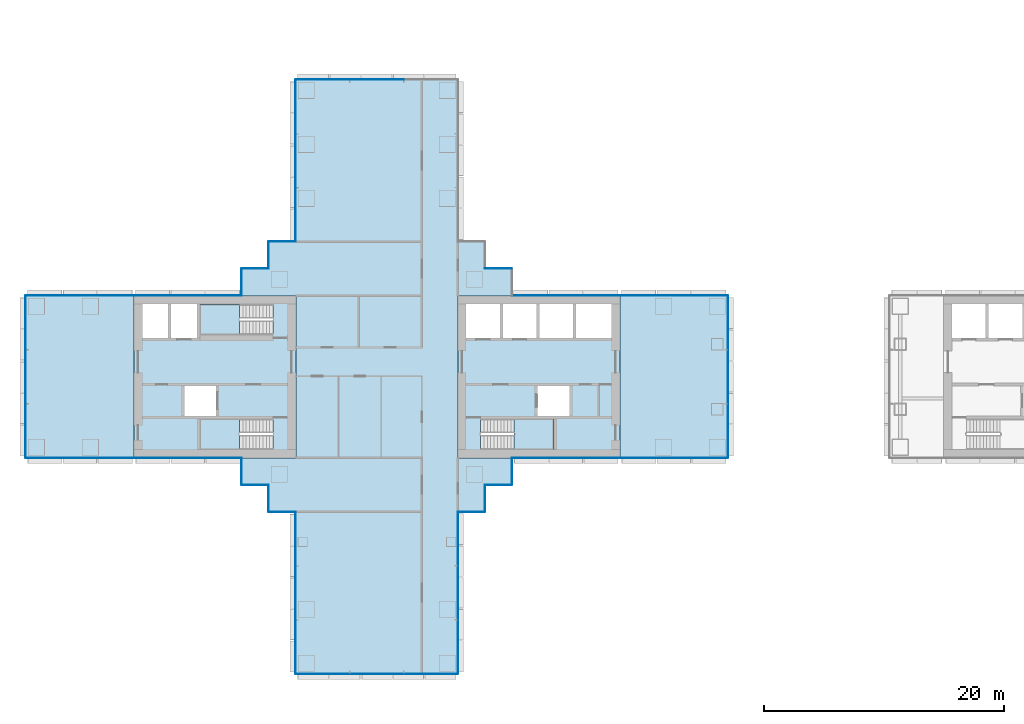
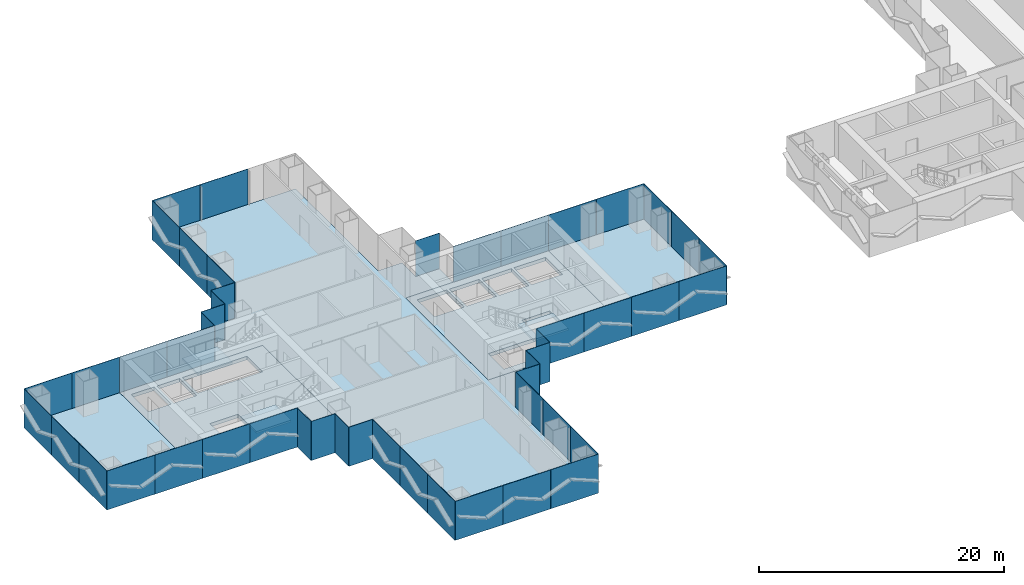
# One storey, part 10 of 21: 49 plates, 8 slabs, 22 elements without a shape of their own.
"""IFC4 building model written with IfcOpenShell, lengths in metres."""

from ifc_helpers import new_model, si_unit, direction, frame, origin, origin_2d, place, context, subcontext, project, spatial, polyline, rectangle, outline, extrude, material, layer, layer_set, type_object, element, aggregate, save


model = new_model("IFC4")

# Units and contexts
model_context = context("Model", 3, precision=1e-05, world=origin(), true_north=direction((0.0, 1.0)))
body_context = subcontext(model_context, "Body", "Model", "MODEL_VIEW")
ifc_project = project(units=[si_unit("LENGTHUNIT", "METRE"), si_unit("AREAUNIT", "SQUARE_METRE"), si_unit("VOLUMEUNIT", "CUBIC_METRE"), si_unit("PLANEANGLEUNIT", "RADIAN"), si_unit("MASSUNIT", "GRAM", prefix="KILO")], contexts=[model_context])

# Site, building, storey
site_placement = place(None, origin())
site = spatial("IfcSite", under=ifc_project, at=site_placement, CompositionType="ELEMENT")
building_placement = place(site_placement, origin())
building = spatial("IfcBuilding", under=site, at=building_placement, Name="Shamsa Quay Exchange Towers", CompositionType="ELEMENT")
storey_placement = place(building_placement, frame((0.0, 0.0, 57.60009765625)))
storey = spatial("IfcBuildingStorey", under=building, at=storey_placement, Name="L12", CompositionType="ELEMENT", Elevation=57.60009765625)

# Slabs
ifc_material_1 = material(Name="Concrete C50/60", Category="concrete")
ifc_layer_1 = layer(ifc_material_1, 0.35009765625)
ifc_layer_set_1 = layer_set([ifc_layer_1], Name="CORE FLOOR 350 C50/60")
slab_type_1 = type_object("IfcSlabType", Name="CORE FLOOR 350 C50/60", PredefinedType="FLOOR", material=ifc_layer_set_1)
slab_1_placement = place(storey_placement, frame((0.0, 0.0, -0.35009765625)))
element("IfcSlab", 1, at=slab_1_placement, inside=storey, type_object=slab_type_1, Name="Core floor T1A", PredefinedType="FLOOR", context=body_context, shape_type="SweptSolid", body=[
    extrude(outline(polyline([(-27.0, -6.75), (-13.5, -6.75), (-13.5, 6.75), (-27.0, 6.75), (-27.0, -6.75)]), holes=[polyline([(-25.099365234375, -6.050048828125), (-25.099365234375, -3.5), (-19.0, -3.5), (-19.0, -6.050048828125), (-25.099365234375, -6.050048828125)]), polyline([(-26.300048828125, 3.25), (-26.300048828125, 6.050048828125), (-23.5, 6.050048828125), (-23.5, 3.25), (-26.300048828125, 3.25)]), polyline([(-23.25, 3.25), (-23.25, 6.050048828125), (-20.449951171875, 6.050048828125), (-20.449951171875, 3.25), (-23.25, 3.25)]), polyline([(-20.199951171875, 3.25), (-20.199951171875, 6.050048828125), (-17.39990234375, 6.050048828125), (-17.39990234375, 3.25), (-20.199951171875, 3.25)]), polyline([(-17.14990234375, 3.25), (-17.14990234375, 6.050048828125), (-14.199951171875, 6.050048828125), (-14.199951171875, 3.25), (-17.14990234375, 3.25)]), polyline([(-20.35009765625, -3.25), (-20.35009765625, -0.75), (-17.699951171875, -0.75), (-17.699951171875, -3.25), (-20.35009765625, -3.25)])]), origin(), (0.0, 0.0, 1.0), 0.35009765625),
])
slab_2_placement = place(storey_placement, frame((0.0, 0.0, -0.35009765625)))
element("IfcSlab", 2, at=slab_2_placement, inside=storey, type_object=slab_type_1, Name="Core floor T1B", PredefinedType="FLOOR", context=body_context, shape_type="SweptSolid", body=[
    extrude(outline(polyline([(-40.5, -6.75), (-40.5, 6.75), (-54.0, 6.75), (-54.0, -6.75), (-40.5, -6.75)]), holes=[polyline([(-42.400634765625, -3.5), (-42.400634765625, -6.050048828125), (-48.5, -6.050048828125), (-48.5, -3.5), (-42.400634765625, -3.5)]), polyline([(-42.400634765625, 6.050048828125), (-42.400634765625, 3.5), (-48.5, 3.5), (-48.5, 6.050048828125), (-42.400634765625, 6.050048828125)]), polyline([(-48.75, 3.25), (-50.89990234375, 3.25), (-50.89990234375, 6.050048828125), (-48.75, 6.050048828125), (-48.75, 3.25)]), polyline([(-51.14990234375, 3.25), (-53.300048828125, 3.25), (-53.300048828125, 6.050048828125), (-51.14990234375, 6.050048828125), (-51.14990234375, 3.25)]), polyline([(-47.14990234375, -3.25), (-49.800048828125, -3.25), (-49.800048828125, -0.75), (-47.14990234375, -0.75), (-47.14990234375, -3.25)])]), origin(), (0.0, 0.0, 1.0), 0.35009765625),
])

# Stair, slab
ifc_material_2 = material(Name="Concrete C40/50", Category="concrete")
stair_type = type_object("IfcStairType", Name="EXIT STAIR 22 RISERS 177 MM", PredefinedType="HALF_TURN_STAIR", material=ifc_material_2)
stair_1_placement = place(storey_placement, origin())
stair_1 = element("IfcStair", 3, at=stair_1_placement, inside=storey, type_object=stair_type, Name="L12 Exit stair ST1", PredefinedType="HALF_TURN_STAIR")
ifc_layer_2 = layer(ifc_material_2, 0.199951171875)
ifc_layer_set_2 = layer_set([ifc_layer_2], Name="CORE STAIR LANDING")
slab_type_2 = type_object("IfcSlabType", Name="CORE STAIR LANDING", PredefinedType="LANDING", material=ifc_layer_set_2)
slab_3_placement = place(storey_placement, frame((0.0, 0.0, 1.75)))
slab_3 = element("IfcSlab", 4, at=slab_3_placement, type_object=slab_type_2, Name="ST1 landing 1", PredefinedType="LANDING", context=body_context, shape_type="SweptSolid", body=[
    extrude(outline(polyline([(-22.300048828125, -6.050048828125), (-19.0, -6.050048828125), (-19.0, -3.5), (-22.300048828125, -3.5), (-22.300048828125, -6.050048828125)])), origin(), (0.0, 0.0, 1.0), 0.199951171875),
])
aggregate(stair_1, [slab_3])

stair_2_placement = place(storey_placement, origin())
stair_2 = element("IfcStair", 5, at=stair_2_placement, inside=storey, type_object=stair_type, Name="L12 Exit stair ST2", PredefinedType="HALF_TURN_STAIR")
slab_4_placement = place(storey_placement, frame((0.0, 0.0, 1.75)))
slab_4 = element("IfcSlab", 6, at=slab_4_placement, type_object=slab_type_2, Name="ST2 landing 1", PredefinedType="LANDING", context=body_context, shape_type="SweptSolid", body=[
    extrude(outline(polyline([(-45.199951171875, -3.5), (-48.5, -3.5), (-48.5, -6.050048828125), (-45.199951171875, -6.050048828125), (-45.199951171875, -3.5)])), origin(), (0.0, 0.0, 1.0), 0.199951171875),
])
aggregate(stair_2, [slab_4])

stair_3_placement = place(storey_placement, origin())
stair_3 = element("IfcStair", 7, at=stair_3_placement, inside=storey, type_object=stair_type, Name="L12 Exit stair ST3", PredefinedType="HALF_TURN_STAIR")
slab_5_placement = place(storey_placement, frame((0.0, 0.0, 1.75)))
slab_5 = element("IfcSlab", 8, at=slab_5_placement, type_object=slab_type_2, Name="ST3 landing 1", PredefinedType="LANDING", context=body_context, shape_type="SweptSolid", body=[
    extrude(outline(polyline([(-45.199951171875, 6.050048828125), (-48.5, 6.050048828125), (-48.5, 3.5), (-45.199951171875, 3.5), (-45.199951171875, 6.050048828125)])), origin(), (0.0, 0.0, 1.0), 0.199951171875),
])
aggregate(stair_3, [slab_5])

# Curtain wall, plates
ifc_material_3 = material(Name="Aluminium EN AW-6063 T6, black anodised", Category="aluminium")
ifc_layer_3 = layer(ifc_material_3, 0.280029296875)
ifc_layer_set_3 = layer_set([ifc_layer_3], Name="CW-1 UNITISED VISION GLASS")
curtain_wall_type_1 = type_object("IfcCurtainWallType", Name="CW-1 UNITISED VISION GLASS", PredefinedType="NOTDEFINED", material=ifc_layer_set_3)
curtain_wall_1_placement = place(storey_placement, origin())
curtain_wall_1 = element("IfcCurtainWall", 9, at=curtain_wall_1_placement, inside=storey, type_object=curtain_wall_type_1, Name="CW1 T1-FLK-V-W L12", PredefinedType="NOTDEFINED")
ifc_material_4 = material(Name="Glass, laminated, dark tinted", Category="glass")
ifc_layer_4 = layer(ifc_material_4, 0.0400390625)
ifc_layer_set_4 = layer_set([ifc_layer_4], Name="CW-1 VISION GLASS 40")
plate_type_1 = type_object("IfcPlateType", Name="CW-1 VISION GLASS 40", PredefinedType="CURTAIN_PANEL", material=ifc_layer_set_4)
plate_1_placement = place(storey_placement, frame((-40.52001953125, -13.529052734375, -0.35009765625), z_axis=(0.0, 0.0, 1.0), x_axis=(0.0, -1.0, 0.0)))
plate_1 = element("IfcPlate", 10, at=plate_1_placement, type_object=plate_type_1, Name="CW1 glass panel", PredefinedType="CURTAIN_PANEL", context=body_context, shape_type="SweptSolid", body=[
    extrude(rectangle(XDim=4.482421875, YDim=0.0400390625, at=origin_2d()), origin(), (0.0, 0.0, 1.0), 3.89990234375),
])
plate_2_placement = place(storey_placement, frame((-40.52001953125, -18.01904296875, -0.35009765625), z_axis=(0.0, 0.0, 1.0), x_axis=(0.0, -1.0, 0.0)))
plate_2 = element("IfcPlate", 11, at=plate_2_placement, type_object=plate_type_1, Name="CW1 glass panel", PredefinedType="CURTAIN_PANEL", context=body_context, shape_type="SweptSolid", body=[
    extrude(rectangle(XDim=4.477294921875, YDim=0.0400390625, at=origin_2d()), origin(), (0.0, 0.0, 1.0), 3.89990234375),
])
plate_3_placement = place(storey_placement, frame((-40.52001953125, -22.5087890625, -0.35009765625), z_axis=(0.0, 0.0, 1.0), x_axis=(0.0, -1.0, 0.0)))
plate_3 = element("IfcPlate", 12, at=plate_3_placement, type_object=plate_type_1, Name="CW1 glass panel", PredefinedType="CURTAIN_PANEL", context=body_context, shape_type="SweptSolid", body=[
    extrude(rectangle(XDim=4.482421875, YDim=0.0400390625, at=origin_2d()), origin(), (0.0, 0.0, 1.0), 3.89990234375),
])
aggregate(curtain_wall_1, [plate_1, plate_2, plate_3])

curtain_wall_2_placement = place(storey_placement, origin())
curtain_wall_2 = element("IfcCurtainWall", 13, at=curtain_wall_2_placement, inside=storey, type_object=curtain_wall_type_1, Name="CW1 T1-END-V- L12", PredefinedType="NOTDEFINED")
plate_4_placement = place(storey_placement, frame((-38.25244140625, -24.77001953125, -0.35009765625)))
plate_4 = element("IfcPlate", 14, at=plate_4_placement, type_object=plate_type_1, Name="CW1 glass panel", PredefinedType="CURTAIN_PANEL", context=body_context, shape_type="SweptSolid", body=[
    extrude(rectangle(XDim=4.4951171875, YDim=0.0400390625, at=origin_2d()), origin(), (0.0, 0.0, 1.0), 3.89990234375),
])
plate_5_placement = place(storey_placement, frame((-33.75, -24.77001953125, -0.35009765625)))
plate_5 = element("IfcPlate", 15, at=plate_5_placement, type_object=plate_type_1, Name="CW1 glass panel", PredefinedType="CURTAIN_PANEL", context=body_context, shape_type="SweptSolid", body=[
    extrude(rectangle(XDim=4.489990234375, YDim=0.0400390625, at=origin_2d()), origin(), (0.0, 0.0, 1.0), 3.89990234375),
])
plate_6_placement = place(storey_placement, frame((-29.24755859375, -24.77001953125, -0.35009765625)))
plate_6 = element("IfcPlate", 16, at=plate_6_placement, type_object=plate_type_1, Name="CW1 glass panel", PredefinedType="CURTAIN_PANEL", context=body_context, shape_type="SweptSolid", body=[
    extrude(rectangle(XDim=4.4951171875, YDim=0.0400390625, at=origin_2d()), origin(), (0.0, 0.0, 1.0), 3.89990234375),
])
aggregate(curtain_wall_2, [plate_4, plate_5, plate_6])

curtain_wall_3_placement = place(storey_placement, origin())
curtain_wall_3 = element("IfcCurtainWall", 17, at=curtain_wall_3_placement, inside=storey, type_object=curtain_wall_type_1, Name="CW1 T1-FLK-V-E L12", PredefinedType="NOTDEFINED")
plate_7_placement = place(storey_placement, frame((-26.97998046875, -22.50244140625, -0.35009765625), z_axis=(0.0, 0.0, 1.0), x_axis=(0.0, 1.0, 0.0)))
plate_7 = element("IfcPlate", 18, at=plate_7_placement, type_object=plate_type_1, Name="CW1 glass panel", PredefinedType="CURTAIN_PANEL", context=body_context, shape_type="SweptSolid", body=[
    extrude(rectangle(XDim=4.4951171875, YDim=0.0400390625, at=origin_2d()), origin(), (0.0, 0.0, 1.0), 3.89990234375),
])
plate_8_placement = place(storey_placement, frame((-26.97998046875, -18.0, -0.35009765625), z_axis=(0.0, 0.0, 1.0), x_axis=(0.0, 1.0, 0.0)))
plate_8 = element("IfcPlate", 19, at=plate_8_placement, type_object=plate_type_1, Name="CW1 glass panel", PredefinedType="CURTAIN_PANEL", context=body_context, shape_type="SweptSolid", body=[
    extrude(rectangle(XDim=4.489990234375, YDim=0.0400390625, at=origin_2d()), origin(), (0.0, 0.0, 1.0), 3.89990234375),
])
plate_9_placement = place(storey_placement, frame((-26.97998046875, -13.49755859375, -0.35009765625), z_axis=(0.0, 0.0, 1.0), x_axis=(0.0, 1.0, 0.0)))
plate_9 = element("IfcPlate", 20, at=plate_9_placement, type_object=plate_type_1, Name="CW1 glass panel", PredefinedType="CURTAIN_PANEL", context=body_context, shape_type="SweptSolid", body=[
    extrude(rectangle(XDim=4.4951171875, YDim=0.0400390625, at=origin_2d()), origin(), (0.0, 0.0, 1.0), 3.89990234375),
])
aggregate(curtain_wall_3, [plate_7, plate_8, plate_9])

curtain_wall_4_placement = place(storey_placement, origin())
curtain_wall_4 = element("IfcCurtainWall", 21, at=curtain_wall_4_placement, inside=storey, type_object=curtain_wall_type_1, Name="CW1 T1-FLK-U+S L12", PredefinedType="NOTDEFINED")
plate_10_placement = place(storey_placement, frame((-11.25244140625, -6.77001953125, -0.35009765625)))
plate_10 = element("IfcPlate", 22, at=plate_10_placement, type_object=plate_type_1, Name="CW1 glass panel", PredefinedType="CURTAIN_PANEL", context=body_context, shape_type="SweptSolid", body=[
    extrude(rectangle(XDim=4.4951171875, YDim=0.0400390625, at=origin_2d()), origin(), (0.0, 0.0, 1.0), 3.89990234375),
])
plate_11_placement = place(storey_placement, frame((-6.74755859375, -6.77001953125, -0.35009765625)))
plate_11 = element("IfcPlate", 23, at=plate_11_placement, type_object=plate_type_1, Name="CW1 glass panel", PredefinedType="CURTAIN_PANEL", context=body_context, shape_type="SweptSolid", body=[
    extrude(rectangle(XDim=4.4951171875, YDim=0.0400390625, at=origin_2d()), origin(), (0.0, 0.0, 1.0), 3.89990234375),
])
aggregate(curtain_wall_4, [plate_10, plate_11])

curtain_wall_5_placement = place(storey_placement, origin())
curtain_wall_5 = element("IfcCurtainWall", 24, at=curtain_wall_5_placement, inside=storey, type_object=curtain_wall_type_1, Name="CW1 T1-END-U+ L12", PredefinedType="NOTDEFINED")
plate_12_placement = place(storey_placement, frame((-4.47998046875, -4.50244140625, -0.35009765625), z_axis=(0.0, 0.0, 1.0), x_axis=(0.0, 1.0, 0.0)))
plate_12 = element("IfcPlate", 25, at=plate_12_placement, type_object=plate_type_1, Name="CW1 glass panel", PredefinedType="CURTAIN_PANEL", context=body_context, shape_type="SweptSolid", body=[
    extrude(rectangle(XDim=4.4951171875, YDim=0.0400390625, at=origin_2d()), origin(), (0.0, 0.0, 1.0), 3.89990234375),
])
plate_13_placement = place(storey_placement, frame((-4.47998046875, 0.0, -0.35009765625), z_axis=(0.0, 0.0, 1.0), x_axis=(0.0, 1.0, 0.0)))
plate_13 = element("IfcPlate", 26, at=plate_13_placement, type_object=plate_type_1, Name="CW1 glass panel", PredefinedType="CURTAIN_PANEL", context=body_context, shape_type="SweptSolid", body=[
    extrude(rectangle(XDim=4.489990234375, YDim=0.0400390625, at=origin_2d()), origin(), (0.0, 0.0, 1.0), 3.89990234375),
])
plate_14_placement = place(storey_placement, frame((-4.47998046875, 4.50244140625, -0.35009765625), z_axis=(0.0, 0.0, 1.0), x_axis=(0.0, 1.0, 0.0)))
plate_14 = element("IfcPlate", 27, at=plate_14_placement, type_object=plate_type_1, Name="CW1 glass panel", PredefinedType="CURTAIN_PANEL", context=body_context, shape_type="SweptSolid", body=[
    extrude(rectangle(XDim=4.4951171875, YDim=0.0400390625, at=origin_2d()), origin(), (0.0, 0.0, 1.0), 3.89990234375),
])
aggregate(curtain_wall_5, [plate_12, plate_13, plate_14])

curtain_wall_6_placement = place(storey_placement, origin())
curtain_wall_6 = element("IfcCurtainWall", 28, at=curtain_wall_6_placement, inside=storey, type_object=curtain_wall_type_1, Name="CW1 T1-FLK-U+N L12", PredefinedType="NOTDEFINED")
plate_15_placement = place(storey_placement, frame((-6.74755859375, 6.77001953125, -0.35009765625), z_axis=(0.0, 0.0, 1.0), x_axis=(-1.0, 0.0, 0.0)))
plate_15 = element("IfcPlate", 29, at=plate_15_placement, type_object=plate_type_1, Name="CW1 glass panel", PredefinedType="CURTAIN_PANEL", context=body_context, shape_type="SweptSolid", body=[
    extrude(rectangle(XDim=4.4951171875, YDim=0.0400390625, at=origin_2d()), origin(), (0.0, 0.0, 1.0), 3.89990234375),
])
plate_16_placement = place(storey_placement, frame((-11.25244140625, 6.77001953125, -0.35009765625), z_axis=(0.0, 0.0, 1.0), x_axis=(-1.0, 0.0, 0.0)))
plate_16 = element("IfcPlate", 30, at=plate_16_placement, type_object=plate_type_1, Name="CW1 glass panel", PredefinedType="CURTAIN_PANEL", context=body_context, shape_type="SweptSolid", body=[
    extrude(rectangle(XDim=4.4951171875, YDim=0.0400390625, at=origin_2d()), origin(), (0.0, 0.0, 1.0), 3.89990234375),
])
aggregate(curtain_wall_6, [plate_15, plate_16])

curtain_wall_7_placement = place(storey_placement, origin())
curtain_wall_7 = element("IfcCurtainWall", 31, at=curtain_wall_7_placement, inside=storey, type_object=curtain_wall_type_1, Name="CW1 T1-END-V+ L12", PredefinedType="NOTDEFINED")
plate_17_placement = place(storey_placement, frame((-33.75, 24.77001953125, -0.35009765625), z_axis=(0.0, 0.0, 1.0), x_axis=(-1.0, 0.0, 0.0)))
plate_17 = element("IfcPlate", 32, at=plate_17_placement, type_object=plate_type_1, Name="CW1 glass panel", PredefinedType="CURTAIN_PANEL", context=body_context, shape_type="SweptSolid", body=[
    extrude(rectangle(XDim=4.489990234375, YDim=0.0400390625, at=origin_2d()), origin(), (0.0, 0.0, 1.0), 3.89990234375),
])
plate_18_placement = place(storey_placement, frame((-38.25244140625, 24.77001953125, -0.35009765625), z_axis=(0.0, 0.0, 1.0), x_axis=(-1.0, 0.0, 0.0)))
plate_18 = element("IfcPlate", 33, at=plate_18_placement, type_object=plate_type_1, Name="CW1 glass panel", PredefinedType="CURTAIN_PANEL", context=body_context, shape_type="SweptSolid", body=[
    extrude(rectangle(XDim=4.4951171875, YDim=0.0400390625, at=origin_2d()), origin(), (0.0, 0.0, 1.0), 3.89990234375),
])
aggregate(curtain_wall_7, [plate_17, plate_18])

curtain_wall_8_placement = place(storey_placement, origin())
curtain_wall_8 = element("IfcCurtainWall", 34, at=curtain_wall_8_placement, inside=storey, type_object=curtain_wall_type_1, Name="CW1 T1-FLK-V+W L12", PredefinedType="NOTDEFINED")
plate_19_placement = place(storey_placement, frame((-40.52001953125, 22.50244140625, -0.35009765625), z_axis=(0.0, 0.0, 1.0), x_axis=(0.0, -1.0, 0.0)))
plate_19 = element("IfcPlate", 35, at=plate_19_placement, type_object=plate_type_1, Name="CW1 glass panel", PredefinedType="CURTAIN_PANEL", context=body_context, shape_type="SweptSolid", body=[
    extrude(rectangle(XDim=4.4951171875, YDim=0.0400390625, at=origin_2d()), origin(), (0.0, 0.0, 1.0), 3.89990234375),
])
plate_20_placement = place(storey_placement, frame((-40.52001953125, 18.0, -0.35009765625), z_axis=(0.0, 0.0, 1.0), x_axis=(0.0, -1.0, 0.0)))
plate_20 = element("IfcPlate", 36, at=plate_20_placement, type_object=plate_type_1, Name="CW1 glass panel", PredefinedType="CURTAIN_PANEL", context=body_context, shape_type="SweptSolid", body=[
    extrude(rectangle(XDim=4.489990234375, YDim=0.0400390625, at=origin_2d()), origin(), (0.0, 0.0, 1.0), 3.89990234375),
])
plate_21_placement = place(storey_placement, frame((-40.52001953125, 13.49755859375, -0.35009765625), z_axis=(0.0, 0.0, 1.0), x_axis=(0.0, -1.0, 0.0)))
plate_21 = element("IfcPlate", 37, at=plate_21_placement, type_object=plate_type_1, Name="CW1 glass panel", PredefinedType="CURTAIN_PANEL", context=body_context, shape_type="SweptSolid", body=[
    extrude(rectangle(XDim=4.4951171875, YDim=0.0400390625, at=origin_2d()), origin(), (0.0, 0.0, 1.0), 3.89990234375),
])
aggregate(curtain_wall_8, [plate_19, plate_20, plate_21])

curtain_wall_9_placement = place(storey_placement, origin())
curtain_wall_9 = element("IfcCurtainWall", 38, at=curtain_wall_9_placement, inside=storey, type_object=curtain_wall_type_1, Name="CW1 T1-FLK-U-N L12", PredefinedType="NOTDEFINED")
plate_22_placement = place(storey_placement, frame((-56.24755859375, 6.77001953125, -0.35009765625), z_axis=(0.0, 0.0, 1.0), x_axis=(-1.0, 0.0, 0.0)))
plate_22 = element("IfcPlate", 39, at=plate_22_placement, type_object=plate_type_1, Name="CW1 glass panel", PredefinedType="CURTAIN_PANEL", context=body_context, shape_type="SweptSolid", body=[
    extrude(rectangle(XDim=4.4951171875, YDim=0.0400390625, at=origin_2d()), origin(), (0.0, 0.0, 1.0), 3.89990234375),
])
plate_23_placement = place(storey_placement, frame((-60.75244140625, 6.77001953125, -0.35009765625), z_axis=(0.0, 0.0, 1.0), x_axis=(-1.0, 0.0, 0.0)))
plate_23 = element("IfcPlate", 40, at=plate_23_placement, type_object=plate_type_1, Name="CW1 glass panel", PredefinedType="CURTAIN_PANEL", context=body_context, shape_type="SweptSolid", body=[
    extrude(rectangle(XDim=4.4951171875, YDim=0.0400390625, at=origin_2d()), origin(), (0.0, 0.0, 1.0), 3.89990234375),
])
aggregate(curtain_wall_9, [plate_22, plate_23])

curtain_wall_10_placement = place(storey_placement, origin())
curtain_wall_10 = element("IfcCurtainWall", 41, at=curtain_wall_10_placement, inside=storey, type_object=curtain_wall_type_1, Name="CW1 T1-END-U- L12", PredefinedType="NOTDEFINED")
plate_24_placement = place(storey_placement, frame((-63.02001953125, 4.50244140625, -0.35009765625), z_axis=(0.0, 0.0, 1.0), x_axis=(0.0, -1.0, 0.0)))
plate_24 = element("IfcPlate", 42, at=plate_24_placement, type_object=plate_type_1, Name="CW1 glass panel", PredefinedType="CURTAIN_PANEL", context=body_context, shape_type="SweptSolid", body=[
    extrude(rectangle(XDim=4.4951171875, YDim=0.0400390625, at=origin_2d()), origin(), (0.0, 0.0, 1.0), 3.89990234375),
])
plate_25_placement = place(storey_placement, frame((-63.02001953125, 0.0, -0.35009765625), z_axis=(0.0, 0.0, 1.0), x_axis=(0.0, -1.0, 0.0)))
plate_25 = element("IfcPlate", 43, at=plate_25_placement, type_object=plate_type_1, Name="CW1 glass panel", PredefinedType="CURTAIN_PANEL", context=body_context, shape_type="SweptSolid", body=[
    extrude(rectangle(XDim=4.489990234375, YDim=0.0400390625, at=origin_2d()), origin(), (0.0, 0.0, 1.0), 3.89990234375),
])
plate_26_placement = place(storey_placement, frame((-63.02001953125, -4.50244140625, -0.35009765625), z_axis=(0.0, 0.0, 1.0), x_axis=(0.0, -1.0, 0.0)))
plate_26 = element("IfcPlate", 44, at=plate_26_placement, type_object=plate_type_1, Name="CW1 glass panel", PredefinedType="CURTAIN_PANEL", context=body_context, shape_type="SweptSolid", body=[
    extrude(rectangle(XDim=4.4951171875, YDim=0.0400390625, at=origin_2d()), origin(), (0.0, 0.0, 1.0), 3.89990234375),
])
aggregate(curtain_wall_10, [plate_24, plate_25, plate_26])

curtain_wall_11_placement = place(storey_placement, origin())
curtain_wall_11 = element("IfcCurtainWall", 45, at=curtain_wall_11_placement, inside=storey, type_object=curtain_wall_type_1, Name="CW1 T1-FLK-U-S L12", PredefinedType="NOTDEFINED")
plate_27_placement = place(storey_placement, frame((-60.75244140625, -6.77001953125, -0.35009765625)))
plate_27 = element("IfcPlate", 46, at=plate_27_placement, type_object=plate_type_1, Name="CW1 glass panel", PredefinedType="CURTAIN_PANEL", context=body_context, shape_type="SweptSolid", body=[
    extrude(rectangle(XDim=4.4951171875, YDim=0.0400390625, at=origin_2d()), origin(), (0.0, 0.0, 1.0), 3.89990234375),
])
plate_28_placement = place(storey_placement, frame((-56.24755859375, -6.77001953125, -0.35009765625)))
plate_28 = element("IfcPlate", 47, at=plate_28_placement, type_object=plate_type_1, Name="CW1 glass panel", PredefinedType="CURTAIN_PANEL", context=body_context, shape_type="SweptSolid", body=[
    extrude(rectangle(XDim=4.4951171875, YDim=0.0400390625, at=origin_2d()), origin(), (0.0, 0.0, 1.0), 3.89990234375),
])
aggregate(curtain_wall_11, [plate_27, plate_28])

ifc_layer_5 = layer(ifc_material_3, 0.303955078125)
ifc_layer_set_5 = layer_set([ifc_layer_5], Name="CW-2 UNITISED OPAQUE SPANDREL GLASS")
curtain_wall_type_2 = type_object("IfcCurtainWallType", Name="CW-2 UNITISED OPAQUE SPANDREL GLASS", PredefinedType="NOTDEFINED", material=ifc_layer_set_5)
curtain_wall_12_placement = place(storey_placement, origin())
curtain_wall_12 = element("IfcCurtainWall", 48, at=curtain_wall_12_placement, inside=storey, type_object=curtain_wall_type_2, Name="CW2 T1-FLK-U+S L12", PredefinedType="NOTDEFINED")
ifc_material_5 = material(Name="Glass, laminated, black enamelled opaque", Category="glass")
ifc_layer_6 = layer(ifc_material_5, 0.0439453125)
ifc_layer_set_6 = layer_set([ifc_layer_6], Name="CW-2 SPANDREL GLASS 44")
plate_type_2 = type_object("IfcPlateType", Name="CW-2 SPANDREL GLASS 44", PredefinedType="CURTAIN_PANEL", material=ifc_layer_set_6)
plate_29_placement = place(storey_placement, frame((-20.22412109375, -6.77197265625, -0.35009765625)))
plate_29 = element("IfcPlate", 49, at=plate_29_placement, type_object=plate_type_2, Name="CW2 glass panel", PredefinedType="CURTAIN_PANEL", context=body_context, shape_type="SweptSolid", body=[
    extrude(rectangle(XDim=4.47607421875, YDim=0.0439453125, at=origin_2d()), origin(), (0.0, 0.0, 1.0), 3.89990234375),
])
plate_30_placement = place(storey_placement, frame((-15.738037109375, -6.77197265625, -0.35009765625)))
plate_30 = element("IfcPlate", 50, at=plate_30_placement, type_object=plate_type_2, Name="CW2 glass panel", PredefinedType="CURTAIN_PANEL", context=body_context, shape_type="SweptSolid", body=[
    extrude(rectangle(XDim=4.47607421875, YDim=0.0439453125, at=origin_2d()), origin(), (0.0, 0.0, 1.0), 3.89990234375),
])
aggregate(curtain_wall_12, [plate_29, plate_30])

curtain_wall_13_placement = place(storey_placement, origin())
curtain_wall_13 = element("IfcCurtainWall", 51, at=curtain_wall_13_placement, inside=storey, type_object=curtain_wall_type_2, Name="CW2 T1-FLK-U+N L12", PredefinedType="NOTDEFINED")
plate_31_placement = place(storey_placement, frame((-15.74755859375, 6.77197265625, -0.35009765625), z_axis=(0.0, 0.0, 1.0), x_axis=(-1.0, 0.0, 0.0)))
plate_31 = element("IfcPlate", 52, at=plate_31_placement, type_object=plate_type_2, Name="CW2 glass panel", PredefinedType="CURTAIN_PANEL", context=body_context, shape_type="SweptSolid", body=[
    extrude(rectangle(XDim=4.4951171875, YDim=0.0439453125, at=origin_2d()), origin(), (0.0, 0.0, 1.0), 3.89990234375),
])
plate_32_placement = place(storey_placement, frame((-20.25244140625, 6.77197265625, -0.35009765625), z_axis=(0.0, 0.0, 1.0), x_axis=(-1.0, 0.0, 0.0)))
plate_32 = element("IfcPlate", 53, at=plate_32_placement, type_object=plate_type_2, Name="CW2 glass panel", PredefinedType="CURTAIN_PANEL", context=body_context, shape_type="SweptSolid", body=[
    extrude(rectangle(XDim=4.4951171875, YDim=0.0439453125, at=origin_2d()), origin(), (0.0, 0.0, 1.0), 3.89990234375),
])
aggregate(curtain_wall_13, [plate_31, plate_32])

curtain_wall_14_placement = place(storey_placement, origin())
curtain_wall_14 = element("IfcCurtainWall", 54, at=curtain_wall_14_placement, inside=storey, type_object=curtain_wall_type_2, Name="CW2 T1-FLK-U-N L12", PredefinedType="NOTDEFINED")
plate_33_placement = place(storey_placement, frame((-47.27587890625, 6.77197265625, -0.35009765625), z_axis=(0.0, 0.0, 1.0), x_axis=(-1.0, 0.0, 0.0)))
plate_33 = element("IfcPlate", 55, at=plate_33_placement, type_object=plate_type_2, Name="CW2 glass panel", PredefinedType="CURTAIN_PANEL", context=body_context, shape_type="SweptSolid", body=[
    extrude(rectangle(XDim=4.47607421875, YDim=0.0439453125, at=origin_2d()), origin(), (0.0, 0.0, 1.0), 3.89990234375),
])
plate_34_placement = place(storey_placement, frame((-51.761962890625, 6.77197265625, -0.35009765625), z_axis=(0.0, 0.0, 1.0), x_axis=(-1.0, 0.0, 0.0)))
plate_34 = element("IfcPlate", 56, at=plate_34_placement, type_object=plate_type_2, Name="CW2 glass panel", PredefinedType="CURTAIN_PANEL", context=body_context, shape_type="SweptSolid", body=[
    extrude(rectangle(XDim=4.47607421875, YDim=0.0439453125, at=origin_2d()), origin(), (0.0, 0.0, 1.0), 3.89990234375),
])
aggregate(curtain_wall_14, [plate_33, plate_34])

curtain_wall_15_placement = place(storey_placement, origin())
curtain_wall_15 = element("IfcCurtainWall", 57, at=curtain_wall_15_placement, inside=storey, type_object=curtain_wall_type_2, Name="CW2 T1-FLK-U-S L12", PredefinedType="NOTDEFINED")
plate_35_placement = place(storey_placement, frame((-51.75244140625, -6.77197265625, -0.35009765625)))
plate_35 = element("IfcPlate", 58, at=plate_35_placement, type_object=plate_type_2, Name="CW2 glass panel", PredefinedType="CURTAIN_PANEL", context=body_context, shape_type="SweptSolid", body=[
    extrude(rectangle(XDim=4.4951171875, YDim=0.0439453125, at=origin_2d()), origin(), (0.0, 0.0, 1.0), 3.89990234375),
])
plate_36_placement = place(storey_placement, frame((-47.24755859375, -6.77197265625, -0.35009765625)))
plate_36 = element("IfcPlate", 59, at=plate_36_placement, type_object=plate_type_2, Name="CW2 glass panel", PredefinedType="CURTAIN_PANEL", context=body_context, shape_type="SweptSolid", body=[
    extrude(rectangle(XDim=4.4951171875, YDim=0.0439453125, at=origin_2d()), origin(), (0.0, 0.0, 1.0), 3.89990234375),
])
aggregate(curtain_wall_15, [plate_35, plate_36])

ifc_layer_7 = layer(ifc_material_3, 0.256103515625)
ifc_layer_set_7 = layer_set([ifc_layer_7], Name="CW-4 POCKET SERRATED GLAZING")
curtain_wall_type_3 = type_object("IfcCurtainWallType", Name="CW-4 POCKET SERRATED GLAZING", PredefinedType="NOTDEFINED", material=ifc_layer_set_7)
curtain_wall_16_placement = place(storey_placement, origin())
curtain_wall_16 = element("IfcCurtainWall", 60, at=curtain_wall_16_placement, inside=storey, type_object=curtain_wall_type_3, Name="CW4 PKWS L12", PredefinedType="NOTDEFINED")
ifc_layer_8 = layer(ifc_material_4, 0.035888671875)
ifc_layer_set_8 = layer_set([ifc_layer_8], Name="CW-4 POCKET GLASS 36")
plate_type_3 = type_object("IfcPlateType", Name="CW-4 POCKET GLASS 36", PredefinedType="CURTAIN_PANEL", material=ifc_layer_set_8)
plate_37_placement = place(storey_placement, frame((-42.76806640625, -10.14404296875, -0.35009765625), z_axis=(0.0, 0.0, 1.0), x_axis=(0.0, -1.0, 0.0)))
plate_37 = element("IfcPlate", 61, at=plate_37_placement, type_object=plate_type_3, Name="CW4 glass panel", PredefinedType="CURTAIN_PANEL", context=body_context, shape_type="SweptSolid", body=[
    extrude(rectangle(XDim=2.2119140625, YDim=0.035888671875, at=origin_2d()), origin(), (0.0, 0.0, 1.0), 3.89990234375),
])
plate_38_placement = place(storey_placement, frame((-41.625, -11.26806640625, -0.35009765625)))
plate_38 = element("IfcPlate", 62, at=plate_38_placement, type_object=plate_type_3, Name="CW4 glass panel", PredefinedType="CURTAIN_PANEL", context=body_context, shape_type="SweptSolid", body=[
    extrude(rectangle(XDim=2.25, YDim=0.035888671875, at=origin_2d()), origin(), (0.0, 0.0, 1.0), 3.89990234375),
])
plate_39_placement = place(storey_placement, frame((-45.01806640625, -7.89794921875, -0.35009765625), z_axis=(0.0, 0.0, 1.0), x_axis=(0.0, -1.0, 0.0)))
plate_39 = element("IfcPlate", 63, at=plate_39_placement, type_object=plate_type_3, Name="CW4 glass panel", PredefinedType="CURTAIN_PANEL", context=body_context, shape_type="SweptSolid", body=[
    extrude(rectangle(XDim=2.2041015625, YDim=0.035888671875, at=origin_2d()), origin(), (0.0, 0.0, 1.0), 3.89990234375),
])
plate_40_placement = place(storey_placement, frame((-43.875, -9.01806640625, -0.35009765625)))
plate_40 = element("IfcPlate", 64, at=plate_40_placement, type_object=plate_type_3, Name="CW4 glass panel", PredefinedType="CURTAIN_PANEL", context=body_context, shape_type="SweptSolid", body=[
    extrude(rectangle(XDim=2.25, YDim=0.035888671875, at=origin_2d()), origin(), (0.0, 0.0, 1.0), 3.89990234375),
])
aggregate(curtain_wall_16, [plate_37, plate_38, plate_39, plate_40])

curtain_wall_17_placement = place(storey_placement, origin())
curtain_wall_17 = element("IfcCurtainWall", 65, at=curtain_wall_17_placement, inside=storey, type_object=curtain_wall_type_3, Name="CW4 PKES L12", PredefinedType="NOTDEFINED")
plate_41_placement = place(storey_placement, frame((-25.85400390625, -11.26806640625, -0.35009765625)))
plate_41 = element("IfcPlate", 66, at=plate_41_placement, type_object=plate_type_3, Name="CW4 glass panel", PredefinedType="CURTAIN_PANEL", context=body_context, shape_type="SweptSolid", body=[
    extrude(rectangle(XDim=2.2080078125, YDim=0.035888671875, at=origin_2d()), origin(), (0.0, 0.0, 1.0), 3.89990234375),
])
plate_42_placement = place(storey_placement, frame((-24.73193359375, -10.125, -0.35009765625), z_axis=(0.0, 0.0, 1.0), x_axis=(0.0, 1.0, 0.0)))
plate_42 = element("IfcPlate", 67, at=plate_42_placement, type_object=plate_type_3, Name="CW4 glass panel", PredefinedType="CURTAIN_PANEL", context=body_context, shape_type="SweptSolid", body=[
    extrude(rectangle(XDim=2.25, YDim=0.035888671875, at=origin_2d()), origin(), (0.0, 0.0, 1.0), 3.89990234375),
])
plate_43_placement = place(storey_placement, frame((-23.60595703125, -9.01806640625, -0.35009765625)))
plate_43 = element("IfcPlate", 68, at=plate_43_placement, type_object=plate_type_3, Name="CW4 glass panel", PredefinedType="CURTAIN_PANEL", context=body_context, shape_type="SweptSolid", body=[
    extrude(rectangle(XDim=2.2119140625, YDim=0.035888671875, at=origin_2d()), origin(), (0.0, 0.0, 1.0), 3.89990234375),
])
plate_44_placement = place(storey_placement, frame((-22.48193359375, -7.875, -0.35009765625), z_axis=(0.0, 0.0, 1.0), x_axis=(0.0, 1.0, 0.0)))
plate_44 = element("IfcPlate", 69, at=plate_44_placement, type_object=plate_type_3, Name="CW4 glass panel", PredefinedType="CURTAIN_PANEL", context=body_context, shape_type="SweptSolid", body=[
    extrude(rectangle(XDim=2.25, YDim=0.035888671875, at=origin_2d()), origin(), (0.0, 0.0, 1.0), 3.89990234375),
])
aggregate(curtain_wall_17, [plate_41, plate_42, plate_43, plate_44])

# Curtain wall, plate
curtain_wall_18_placement = place(storey_placement, origin())
curtain_wall_18 = element("IfcCurtainWall", 70, at=curtain_wall_18_placement, inside=storey, type_object=curtain_wall_type_3, Name="CW4 PKEN L12", PredefinedType="NOTDEFINED")
plate_45_placement = place(storey_placement, frame((-23.625, 9.01806640625, -0.35009765625), z_axis=(0.0, 0.0, 1.0), x_axis=(-1.0, 0.0, 0.0)))
plate_45 = element("IfcPlate", 71, at=plate_45_placement, type_object=plate_type_3, Name="CW4 glass panel", PredefinedType="CURTAIN_PANEL", context=body_context, shape_type="SweptSolid", body=[
    extrude(rectangle(XDim=2.25, YDim=0.035888671875, at=origin_2d()), origin(), (0.0, 0.0, 1.0), 3.89990234375),
])
aggregate(curtain_wall_18, [plate_45])

# Curtain wall, plates
curtain_wall_19_placement = place(storey_placement, origin())
curtain_wall_19 = element("IfcCurtainWall", 72, at=curtain_wall_19_placement, inside=storey, type_object=curtain_wall_type_3, Name="CW4 PKWN L12", PredefinedType="NOTDEFINED")
plate_46_placement = place(storey_placement, frame((-41.64599609375, 11.26806640625, -0.35009765625), z_axis=(0.0, 0.0, 1.0), x_axis=(-1.0, 0.0, 0.0)))
plate_46 = element("IfcPlate", 73, at=plate_46_placement, type_object=plate_type_3, Name="CW4 glass panel", PredefinedType="CURTAIN_PANEL", context=body_context, shape_type="SweptSolid", body=[
    extrude(rectangle(XDim=2.2080078125, YDim=0.035888671875, at=origin_2d()), origin(), (0.0, 0.0, 1.0), 3.89990234375),
])
plate_47_placement = place(storey_placement, frame((-42.76806640625, 10.125, -0.35009765625), z_axis=(0.0, 0.0, 1.0), x_axis=(0.0, -1.0, 0.0)))
plate_47 = element("IfcPlate", 74, at=plate_47_placement, type_object=plate_type_3, Name="CW4 glass panel", PredefinedType="CURTAIN_PANEL", context=body_context, shape_type="SweptSolid", body=[
    extrude(rectangle(XDim=2.25, YDim=0.035888671875, at=origin_2d()), origin(), (0.0, 0.0, 1.0), 3.89990234375),
])
plate_48_placement = place(storey_placement, frame((-43.89404296875, 9.01806640625, -0.35009765625), z_axis=(0.0, 0.0, 1.0), x_axis=(-1.0, 0.0, 0.0)))
plate_48 = element("IfcPlate", 75, at=plate_48_placement, type_object=plate_type_3, Name="CW4 glass panel", PredefinedType="CURTAIN_PANEL", context=body_context, shape_type="SweptSolid", body=[
    extrude(rectangle(XDim=2.2119140625, YDim=0.035888671875, at=origin_2d()), origin(), (0.0, 0.0, 1.0), 3.89990234375),
])
plate_49_placement = place(storey_placement, frame((-45.01806640625, 7.875, -0.35009765625), z_axis=(0.0, 0.0, 1.0), x_axis=(0.0, -1.0, 0.0)))
plate_49 = element("IfcPlate", 76, at=plate_49_placement, type_object=plate_type_3, Name="CW4 glass panel", PredefinedType="CURTAIN_PANEL", context=body_context, shape_type="SweptSolid", body=[
    extrude(rectangle(XDim=2.25, YDim=0.035888671875, at=origin_2d()), origin(), (0.0, 0.0, 1.0), 3.89990234375),
])
aggregate(curtain_wall_19, [plate_46, plate_47, plate_48, plate_49])

# Slabs
ifc_layer_9 = layer(ifc_material_2, 0.35009765625)
ifc_layer_set_9 = layer_set([ifc_layer_9], Name="Flat slab 350")
slab_type_3 = type_object("IfcSlabType", Name="Flat slab 350", PredefinedType="FLOOR", material=ifc_layer_set_9)
slab_6_placement = place(storey_placement, frame((0.0, 0.0, -0.35009765625)))
element("IfcSlab", 77, at=slab_6_placement, inside=storey, type_object=slab_type_3, Name="Flat slab T1 L12 1", PredefinedType="FLOOR", context=body_context, shape_type="SweptSolid", body=[
    extrude(outline(polyline([(-63.0, -6.75), (-54.0, -6.75), (-54.0, 6.75), (-63.0, 6.75), (-63.0, -6.75)])), origin(), (0.0, 0.0, 1.0), 0.35009765625),
])
slab_7_placement = place(storey_placement, frame((0.0, 0.0, -0.35009765625)))
element("IfcSlab", 78, at=slab_7_placement, inside=storey, type_object=slab_type_3, Name="Flat slab T1 L12 2", PredefinedType="FLOOR", context=body_context, shape_type="SweptSolid", body=[
    extrude(outline(polyline([(-22.5, -9.0), (-22.5, -6.75), (-27.0, -6.75), (-27.0, 6.75), (-22.5, 6.75), (-22.5, 9.0), (-24.75, 9.0), (-24.75, 11.25), (-27.0, 11.25), (-27.0, 24.75), (-40.5, 24.75), (-40.5, 11.25), (-42.75, 11.25), (-42.75, 9.0), (-45.0, 9.0), (-45.0, 6.75), (-40.5, 6.75), (-40.5, -6.75), (-45.0, -6.75), (-45.0, -9.0), (-42.75, -9.0), (-42.75, -11.25), (-40.5, -11.25), (-40.5, -24.75), (-27.0, -24.75), (-27.0, -11.25), (-24.75, -11.25), (-24.75, -9.0), (-22.5, -9.0)])), origin(), (0.0, 0.0, 1.0), 0.35009765625),
])
slab_8_placement = place(storey_placement, frame((0.0, 0.0, -0.35009765625)))
element("IfcSlab", 79, at=slab_8_placement, inside=storey, type_object=slab_type_3, Name="Flat slab T1 L12 3", PredefinedType="FLOOR", context=body_context, shape_type="SweptSolid", body=[
    extrude(outline(polyline([(-4.5, 6.75), (-13.5, 6.75), (-13.5, -6.75), (-4.5, -6.75), (-4.5, 6.75)])), origin(), (0.0, 0.0, 1.0), 0.35009765625),
])

save(model, "model.ifc")
